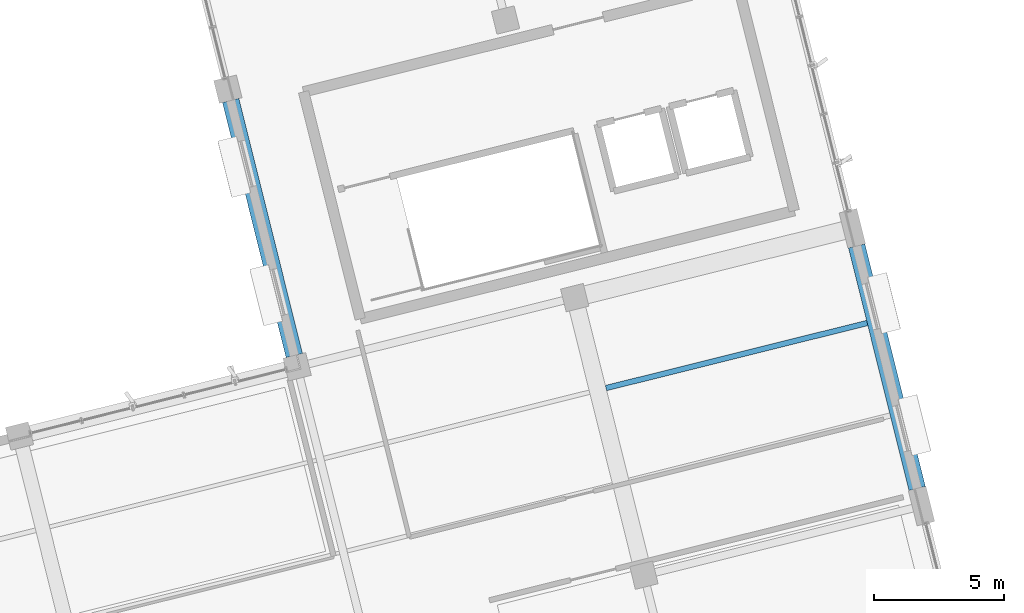
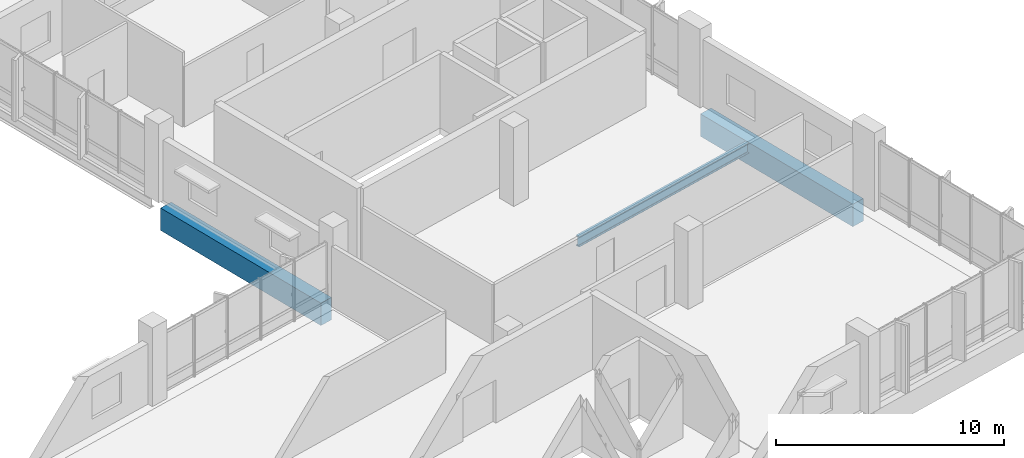
# One storey, part 13 of 22: 3 beams.
"""IFC4 building model written with IfcOpenShell, lengths in metres."""

from ifc_helpers import new_model, si_unit, direction, frame, origin, origin_2d, place, context, subcontext, project, spatial, rectangle, i_section, extrude, material, material_profile, profile_set, type_object, element, save


model = new_model("IFC4")

# Units and contexts
model_context = context("Model", 3, precision=1e-05, world=origin(), true_north=direction((0.0, 1.0)))
body_context = subcontext(model_context, "Body", "Model", "MODEL_VIEW")
ifc_project = project(units=[si_unit("LENGTHUNIT", "METRE"), si_unit("AREAUNIT", "SQUARE_METRE"), si_unit("VOLUMEUNIT", "CUBIC_METRE"), si_unit("PLANEANGLEUNIT", "RADIAN"), si_unit("MASSUNIT", "GRAM", prefix="KILO")], contexts=[model_context])

# Site, building, storey
site_placement = place(None, origin())
site = spatial("IfcSite", under=ifc_project, at=site_placement, CompositionType="ELEMENT")
building_placement = place(site_placement, origin())
building = spatial("IfcBuilding", under=site, at=building_placement, Name="Khorjan Park Terminus", CompositionType="ELEMENT")
storey_placement = place(building_placement, frame((0.0, 0.0, 24.6)))
storey = spatial("IfcBuildingStorey", under=building, at=storey_placement, Name="L05", CompositionType="ELEMENT", Elevation=24.6)

# Beams
ifc_material_1 = material(Name="Concrete C40/50", Category="concrete")
ifc_material_profile_1 = material_profile(ifc_material_1, rectangle(XDim=0.65, YDim=1.2, at=origin_2d()), Name="RC 650x1200")
ifc_profile_set_1 = profile_set([ifc_material_profile_1], Name="Concrete C40/50")
beam_type_1 = type_object("IfcBeamType", Name="BM-RC650x1200", PredefinedType="BEAM", material=ifc_profile_set_1)
beam_1_placement = place(storey_placement, frame((203.2631, 34.4229, -0.93), z_axis=(-0.241930465139, 0.97029358961, 0.0), x_axis=(-0.97029358961, -0.241930465139, 0.0)))
element("IfcBeam", 1, at=beam_1_placement, inside=storey, type_object=beam_type_1, Name="Primary skew-grid floor girder GB-12 (L05)", PredefinedType="BEAM", context=body_context, shape_type="SweptSolid", body=[
    extrude(rectangle(XDim=0.65, YDim=1.2, at=origin_2d()), origin(), (0.0, 0.0, 1.0), 10.1099),
])
beam_2_placement = place(storey_placement, frame((227.2102, 29.3145, -0.93), z_axis=(-0.241916119113, 0.970297166498, 0.0), x_axis=(-0.970297166498, -0.241916119113, 0.0)))
element("IfcBeam", 2, at=beam_2_placement, inside=storey, type_object=beam_type_1, Name="Primary skew-grid floor girder GB-12 (L05)", PredefinedType="BEAM", context=body_context, shape_type="SweptSolid", body=[
    extrude(rectangle(XDim=0.65, YDim=1.2, at=origin_2d()), origin(), (0.0, 0.0, 1.0), 9.6099),
])
ifc_material_2 = material(Name="Steel S355", Category="steel")
ifc_material_profile_2 = material_profile(ifc_material_2, i_section(OverallWidth=0.21, OverallDepth=0.55, WebThickness=0.0111, FlangeThickness=0.0172, FilletRadius=0.024, at=origin_2d()), Name="IPE 550")
ifc_profile_set_2 = profile_set([ifc_material_profile_2], Name="Steel S355")
beam_type_2 = type_object("IfcBeamType", Name="JS-IPE550", PredefinedType="JOIST", material=ifc_profile_set_2)
beam_3_placement = place(storey_placement, frame((215.2464, 33.1731, -0.605), z_axis=(0.970297460555, 0.24191493968, 0.0), x_axis=(-0.24191493968, 0.970297460555, 0.0)))
element("IfcBeam", 3, at=beam_3_placement, inside=storey, type_object=beam_type_2, Name="Secondary composite floor joist SJ-55 (L05)", PredefinedType="JOIST", context=body_context, shape_type="SweptSolid", body=[
    extrude(i_section(OverallWidth=0.21, OverallDepth=0.55, WebThickness=0.0111, FlangeThickness=0.0172, FilletRadius=0.024, at=origin_2d()), origin(), (0.0, 0.0, 1.0), 10.3499),
])

save(model, "model.ifc")
